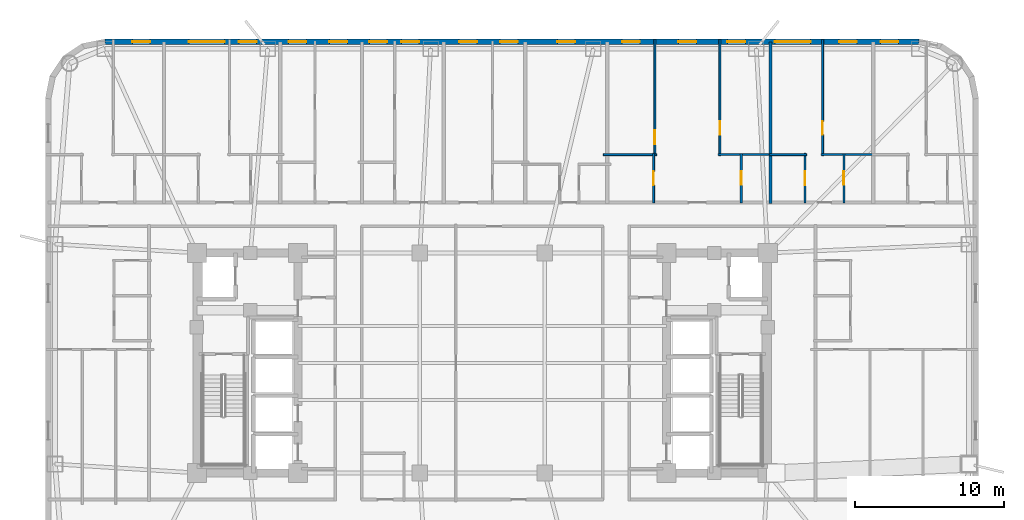
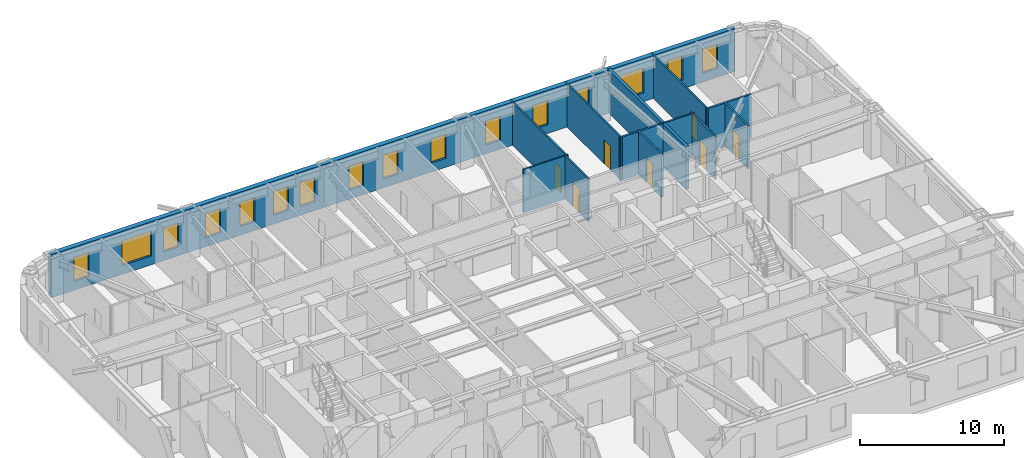
# One storey, part 9 of 12: 16 windows, 13 walls, 7 doors, 23 openings.
"""IFC4 building model written with IfcOpenShell, lengths in metres."""

from ifc_helpers import new_model, si_unit, direction, frame, frame_2d, origin, place, context, subcontext, project, spatial, rectangle, extrude, material, layer, layer_set, type_object, element, fill, save


model = new_model("IFC4")

# Units and contexts
model_context = context("Model", 3, precision=1e-05, world=origin(), true_north=direction((0.0, 1.0)))
body_context = subcontext(model_context, "Body", "Model", "MODEL_VIEW")
ifc_project = project(units=[si_unit("LENGTHUNIT", "METRE"), si_unit("AREAUNIT", "SQUARE_METRE"), si_unit("VOLUMEUNIT", "CUBIC_METRE"), si_unit("PLANEANGLEUNIT", "RADIAN"), si_unit("MASSUNIT", "GRAM", prefix="KILO")], contexts=[model_context])

# Site, building, storey
site_placement = place(None, origin())
site = spatial("IfcSite", under=ifc_project, at=site_placement, CompositionType="ELEMENT")
building_placement = place(site_placement, origin())
building = spatial("IfcBuilding", under=site, at=building_placement, Name="Voryun Gate Residences", CompositionType="ELEMENT")
storey_placement = place(building_placement, frame((0.0, 0.0, 109.199951171875)))
storey = spatial("IfcBuildingStorey", under=building, at=storey_placement, Name="L26", CompositionType="ELEMENT", Elevation=109.199951171875)

# Wall, openings, windows
ifc_material_1 = material(Name="Granite masonry", Category="masonry")
ifc_layer_1 = layer(ifc_material_1, 0.3798828125, Name="W_EXT_GRANITE_380")
ifc_layer_set_1 = layer_set([ifc_layer_1], Name="Granite masonry")
wall_type_1 = type_object("IfcWallType", Name="W_EXT_GRANITE_380", PredefinedType="ELEMENTEDWALL", material=ifc_layer_set_1)
wall_1_placement = place(storey_placement, frame((-25.38134765625, 21.610107421875, 0.0), z_axis=(0.0, 0.0, 1.0), x_axis=(1.0, 0.0, 0.0)))
wall_1 = element("IfcWall", 1, at=wall_1_placement, inside=storey, type_object=wall_type_1, Name="Exterior wall WEXT-L26-11", PredefinedType="ELEMENTEDWALL", context=body_context, shape_type="SweptSolid", body=[
    extrude(rectangle(XDim=54.7626953125, YDim=0.3798828125, at=frame_2d((27.38134765625, 0.0))), origin(), (0.0, 0.0, 1.0), 3.650146484375),
])
opening_1_placement = place(wall_1_placement, frame((5.645263671875, 0.0, 0.75)))
opening_1 = element("IfcOpeningElement", 2, at=opening_1_placement, cuts=wall_1, Name="Opening WN2", PredefinedType="OPENING", context=body_context, shape_type="SweptSolid", body=[
    extrude(rectangle(XDim=2.39990234375, YDim=2.10009765625, at=frame_2d((1.199951171875, 1.050048828125))), frame((0.0, 0.199951171875, 0.0), z_axis=(0.0, -1.0, 0.0), x_axis=(1.0, 0.0, 0.0)), (0.0, 0.0, 1.0), 0.39990234375),
])
opening_2_placement = place(wall_1_placement, frame((45.0673828125, 0.0, 0.75)))
opening_2 = element("IfcOpeningElement", 3, at=opening_2_placement, cuts=wall_1, Name="Opening WN2", PredefinedType="OPENING", context=body_context, shape_type="SweptSolid", body=[
    extrude(rectangle(XDim=2.39990234375, YDim=2.10009765625, at=frame_2d((1.199951171875, 1.050048828125))), frame((0.0, 0.199951171875, 0.0), z_axis=(0.0, -1.0, 0.0), x_axis=(1.0, 0.0, 0.0)), (0.0, 0.0, 1.0), 0.39990234375),
])
opening_3_placement = place(wall_1_placement, frame((1.8310546875, 0.0, 0.75)))
opening_3 = element("IfcOpeningElement", 4, at=opening_3_placement, cuts=wall_1, Name="Opening WN6", PredefinedType="OPENING", context=body_context, shape_type="SweptSolid", body=[
    extrude(rectangle(XDim=1.199951171875, YDim=2.050048828125, at=frame_2d((0.60009765625, 1.02490234375))), frame((0.0, 0.199951171875, 0.0), z_axis=(0.0, -1.0, 0.0), x_axis=(1.0, 0.0, 0.0)), (0.0, 0.0, 1.0), 0.39990234375),
])
opening_4_placement = place(wall_1_placement, frame((8.996337890625, 0.0, 0.75)))
opening_4 = element("IfcOpeningElement", 5, at=opening_4_placement, cuts=wall_1, Name="Opening WN6", PredefinedType="OPENING", context=body_context, shape_type="SweptSolid", body=[
    extrude(rectangle(XDim=1.199951171875, YDim=2.050048828125, at=frame_2d((0.60009765625, 1.02490234375))), frame((0.0, 0.199951171875, 0.0), z_axis=(0.0, -1.0, 0.0), x_axis=(1.0, 0.0, 0.0)), (0.0, 0.0, 1.0), 0.39990234375),
])
opening_5_placement = place(wall_1_placement, frame((15.101806640625, 0.0, 0.75)))
opening_5 = element("IfcOpeningElement", 6, at=opening_5_placement, cuts=wall_1, Name="Opening WN6", PredefinedType="OPENING", context=body_context, shape_type="SweptSolid", body=[
    extrude(rectangle(XDim=1.199951171875, YDim=2.050048828125, at=frame_2d((0.60009765625, 1.02490234375))), frame((0.0, 0.199951171875, 0.0), z_axis=(0.0, -1.0, 0.0), x_axis=(1.0, 0.0, 0.0)), (0.0, 0.0, 1.0), 0.39990234375),
])
opening_6_placement = place(wall_1_placement, frame((12.351806640625, 0.0, 0.75)))
opening_6 = element("IfcOpeningElement", 7, at=opening_6_placement, cuts=wall_1, Name="Opening WN6", PredefinedType="OPENING", context=body_context, shape_type="SweptSolid", body=[
    extrude(rectangle(XDim=1.199951171875, YDim=2.050048828125, at=frame_2d((0.60009765625, 1.02490234375))), frame((0.0, 0.199951171875, 0.0), z_axis=(0.0, -1.0, 0.0), x_axis=(1.0, 0.0, 0.0)), (0.0, 0.0, 1.0), 0.39990234375),
])
opening_7_placement = place(wall_1_placement, frame((19.936279296875, 0.0, 0.75)))
opening_7 = element("IfcOpeningElement", 8, at=opening_7_placement, cuts=wall_1, Name="Opening WN6", PredefinedType="OPENING", context=body_context, shape_type="SweptSolid", body=[
    extrude(rectangle(XDim=1.199951171875, YDim=2.050048828125, at=frame_2d((0.60009765625, 1.02490234375))), frame((0.0, 0.199951171875, 0.0), z_axis=(0.0, -1.0, 0.0), x_axis=(1.0, 0.0, 0.0)), (0.0, 0.0, 1.0), 0.39990234375),
])
opening_8_placement = place(wall_1_placement, frame((17.786376953125, 0.0, 0.75)))
opening_8 = element("IfcOpeningElement", 9, at=opening_8_placement, cuts=wall_1, Name="Opening WN6", PredefinedType="OPENING", context=body_context, shape_type="SweptSolid", body=[
    extrude(rectangle(XDim=1.199951171875, YDim=2.050048828125, at=frame_2d((0.60009765625, 1.02490234375))), frame((0.0, 0.199951171875, 0.0), z_axis=(0.0, -1.0, 0.0), x_axis=(1.0, 0.0, 0.0)), (0.0, 0.0, 1.0), 0.39990234375),
])
opening_9_placement = place(wall_1_placement, frame((23.826416015625, 0.0, 0.75)))
opening_9 = element("IfcOpeningElement", 10, at=opening_9_placement, cuts=wall_1, Name="Opening WN6", PredefinedType="OPENING", context=body_context, shape_type="SweptSolid", body=[
    extrude(rectangle(XDim=1.199951171875, YDim=2.050048828125, at=frame_2d((0.60009765625, 1.02490234375))), frame((0.0, 0.199951171875, 0.0), z_axis=(0.0, -1.0, 0.0), x_axis=(1.0, 0.0, 0.0)), (0.0, 0.0, 1.0), 0.39990234375),
])
opening_10_placement = place(wall_1_placement, frame((26.576416015625, 0.0, 0.75)))
opening_10 = element("IfcOpeningElement", 11, at=opening_10_placement, cuts=wall_1, Name="Opening WN6", PredefinedType="OPENING", context=body_context, shape_type="SweptSolid", body=[
    extrude(rectangle(XDim=1.199951171875, YDim=2.050048828125, at=frame_2d((0.60009765625, 1.02490234375))), frame((0.0, 0.199951171875, 0.0), z_axis=(0.0, -1.0, 0.0), x_axis=(1.0, 0.0, 0.0)), (0.0, 0.0, 1.0), 0.39990234375),
])
opening_11_placement = place(wall_1_placement, frame((30.431396484375, 0.0, 0.75)))
opening_11 = element("IfcOpeningElement", 12, at=opening_11_placement, cuts=wall_1, Name="Opening WN6", PredefinedType="OPENING", context=body_context, shape_type="SweptSolid", body=[
    extrude(rectangle(XDim=1.199951171875, YDim=2.050048828125, at=frame_2d((0.60009765625, 1.02490234375))), frame((0.0, 0.199951171875, 0.0), z_axis=(0.0, -1.0, 0.0), x_axis=(1.0, 0.0, 0.0)), (0.0, 0.0, 1.0), 0.39990234375),
])
opening_12_placement = place(wall_1_placement, frame((38.581298828125, 0.0, 0.75)))
opening_12 = element("IfcOpeningElement", 13, at=opening_12_placement, cuts=wall_1, Name="Opening WN6", PredefinedType="OPENING", context=body_context, shape_type="SweptSolid", body=[
    extrude(rectangle(XDim=1.199951171875, YDim=2.050048828125, at=frame_2d((0.60009765625, 1.02490234375))), frame((0.0, 0.199951171875, 0.0), z_axis=(0.0, -1.0, 0.0), x_axis=(1.0, 0.0, 0.0)), (0.0, 0.0, 1.0), 0.39990234375),
])
opening_13_placement = place(wall_1_placement, frame((34.786376953125, 0.0, 0.75)))
opening_13 = element("IfcOpeningElement", 14, at=opening_13_placement, cuts=wall_1, Name="Opening WN6", PredefinedType="OPENING", context=body_context, shape_type="SweptSolid", body=[
    extrude(rectangle(XDim=1.199951171875, YDim=2.050048828125, at=frame_2d((0.60009765625, 1.02490234375))), frame((0.0, 0.199951171875, 0.0), z_axis=(0.0, -1.0, 0.0), x_axis=(1.0, 0.0, 0.0)), (0.0, 0.0, 1.0), 0.39990234375),
])
opening_14_placement = place(wall_1_placement, frame((41.876220703125, 0.0, 0.75)))
opening_14 = element("IfcOpeningElement", 15, at=opening_14_placement, cuts=wall_1, Name="Opening WN6", PredefinedType="OPENING", context=body_context, shape_type="SweptSolid", body=[
    extrude(rectangle(XDim=1.199951171875, YDim=2.050048828125, at=frame_2d((0.60009765625, 1.02490234375))), frame((0.0, 0.199951171875, 0.0), z_axis=(0.0, -1.0, 0.0), x_axis=(1.0, 0.0, 0.0)), (0.0, 0.0, 1.0), 0.39990234375),
])
opening_15_placement = place(wall_1_placement, frame((49.38525390625, 0.0, 0.75)))
opening_15 = element("IfcOpeningElement", 16, at=opening_15_placement, cuts=wall_1, Name="Opening WN6", PredefinedType="OPENING", context=body_context, shape_type="SweptSolid", body=[
    extrude(rectangle(XDim=1.199951171875, YDim=2.050048828125, at=frame_2d((0.60009765625, 1.02490234375))), frame((0.0, 0.199951171875, 0.0), z_axis=(0.0, -1.0, 0.0), x_axis=(1.0, 0.0, 0.0)), (0.0, 0.0, 1.0), 0.39990234375),
])
opening_16_placement = place(wall_1_placement, frame((52.181396484375, 0.0, 0.75)))
opening_16 = element("IfcOpeningElement", 17, at=opening_16_placement, cuts=wall_1, Name="Opening WN6", PredefinedType="OPENING", context=body_context, shape_type="SweptSolid", body=[
    extrude(rectangle(XDim=1.199951171875, YDim=2.050048828125, at=frame_2d((0.60009765625, 1.02490234375))), frame((0.0, 0.199951171875, 0.0), z_axis=(0.0, -1.0, 0.0), x_axis=(1.0, 0.0, 0.0)), (0.0, 0.0, 1.0), 0.39990234375),
])
ifc_material_2 = material(Name="Laminated low-E glass", Category="glass")
window_type_1 = type_object("IfcWindowType", Name="WN_POD_SLOT_1200", PartitioningType="SINGLE_PANEL", PredefinedType="WINDOW", material=ifc_material_2)
window_1_placement = place(opening_3_placement, origin())
window_1 = element("IfcWindow", 18, at=window_1_placement, inside=storey, type_object=window_type_1, Name="Window WN-L26-DWFIX-02", OverallHeight=2.050048828125, OverallWidth=1.199951171875, PartitioningType="SINGLE_PANEL", PredefinedType="WINDOW", context=body_context, shape_type="SweptSolid", body=[
    extrude(rectangle(XDim=1.199951171875, YDim=2.050048828125, at=frame_2d((0.60009765625, 1.02490234375))), frame((0.0, 0.030029296875, 0.0), z_axis=(0.0, -1.0, 0.0), x_axis=(1.0, 0.0, 0.0)), (0.0, 0.0, 1.0), 0.06005859375),
])
fill(opening_3, window_1)
window_2_placement = place(opening_4_placement, origin())
window_2 = element("IfcWindow", 19, at=window_2_placement, inside=storey, type_object=window_type_1, Name="Window WN-L26-DWFIX-03", OverallHeight=2.050048828125, OverallWidth=1.199951171875, PartitioningType="SINGLE_PANEL", PredefinedType="WINDOW", context=body_context, shape_type="SweptSolid", body=[
    extrude(rectangle(XDim=1.199951171875, YDim=2.050048828125, at=frame_2d((0.60009765625, 1.02490234375))), frame((0.0, 0.030029296875, 0.0), z_axis=(0.0, -1.0, 0.0), x_axis=(1.0, 0.0, 0.0)), (0.0, 0.0, 1.0), 0.06005859375),
])
fill(opening_4, window_2)
window_3_placement = place(opening_5_placement, origin())
window_3 = element("IfcWindow", 20, at=window_3_placement, inside=storey, type_object=window_type_1, Name="Window WN-L26-DWFIX-04", OverallHeight=2.050048828125, OverallWidth=1.199951171875, PartitioningType="SINGLE_PANEL", PredefinedType="WINDOW", context=body_context, shape_type="SweptSolid", body=[
    extrude(rectangle(XDim=1.199951171875, YDim=2.050048828125, at=frame_2d((0.60009765625, 1.02490234375))), frame((0.0, 0.030029296875, 0.0), z_axis=(0.0, -1.0, 0.0), x_axis=(1.0, 0.0, 0.0)), (0.0, 0.0, 1.0), 0.06005859375),
])
fill(opening_5, window_3)
window_4_placement = place(opening_6_placement, origin())
window_4 = element("IfcWindow", 21, at=window_4_placement, inside=storey, type_object=window_type_1, Name="Window WN-L26-DWFIX-05", OverallHeight=2.050048828125, OverallWidth=1.199951171875, PartitioningType="SINGLE_PANEL", PredefinedType="WINDOW", context=body_context, shape_type="SweptSolid", body=[
    extrude(rectangle(XDim=1.199951171875, YDim=2.050048828125, at=frame_2d((0.60009765625, 1.02490234375))), frame((0.0, 0.030029296875, 0.0), z_axis=(0.0, -1.0, 0.0), x_axis=(1.0, 0.0, 0.0)), (0.0, 0.0, 1.0), 0.06005859375),
])
fill(opening_6, window_4)
window_5_placement = place(opening_7_placement, origin())
window_5 = element("IfcWindow", 22, at=window_5_placement, inside=storey, type_object=window_type_1, Name="Window WN-L26-DWFIX-06", OverallHeight=2.050048828125, OverallWidth=1.199951171875, PartitioningType="SINGLE_PANEL", PredefinedType="WINDOW", context=body_context, shape_type="SweptSolid", body=[
    extrude(rectangle(XDim=1.199951171875, YDim=2.050048828125, at=frame_2d((0.60009765625, 1.02490234375))), frame((0.0, 0.030029296875, 0.0), z_axis=(0.0, -1.0, 0.0), x_axis=(1.0, 0.0, 0.0)), (0.0, 0.0, 1.0), 0.06005859375),
])
fill(opening_7, window_5)
window_6_placement = place(opening_8_placement, origin())
window_6 = element("IfcWindow", 23, at=window_6_placement, inside=storey, type_object=window_type_1, Name="Window WN-L26-DWFIX-07", OverallHeight=2.050048828125, OverallWidth=1.199951171875, PartitioningType="SINGLE_PANEL", PredefinedType="WINDOW", context=body_context, shape_type="SweptSolid", body=[
    extrude(rectangle(XDim=1.199951171875, YDim=2.050048828125, at=frame_2d((0.60009765625, 1.02490234375))), frame((0.0, 0.030029296875, 0.0), z_axis=(0.0, -1.0, 0.0), x_axis=(1.0, 0.0, 0.0)), (0.0, 0.0, 1.0), 0.06005859375),
])
fill(opening_8, window_6)
window_7_placement = place(opening_9_placement, origin())
window_7 = element("IfcWindow", 24, at=window_7_placement, inside=storey, type_object=window_type_1, Name="Window WN-L26-DWFIX-08", OverallHeight=2.050048828125, OverallWidth=1.199951171875, PartitioningType="SINGLE_PANEL", PredefinedType="WINDOW", context=body_context, shape_type="SweptSolid", body=[
    extrude(rectangle(XDim=1.199951171875, YDim=2.050048828125, at=frame_2d((0.60009765625, 1.02490234375))), frame((0.0, 0.030029296875, 0.0), z_axis=(0.0, -1.0, 0.0), x_axis=(1.0, 0.0, 0.0)), (0.0, 0.0, 1.0), 0.06005859375),
])
fill(opening_9, window_7)
window_8_placement = place(opening_10_placement, origin())
window_8 = element("IfcWindow", 25, at=window_8_placement, inside=storey, type_object=window_type_1, Name="Window WN-L26-DWFIX-09", OverallHeight=2.050048828125, OverallWidth=1.199951171875, PartitioningType="SINGLE_PANEL", PredefinedType="WINDOW", context=body_context, shape_type="SweptSolid", body=[
    extrude(rectangle(XDim=1.199951171875, YDim=2.050048828125, at=frame_2d((0.60009765625, 1.02490234375))), frame((0.0, 0.030029296875, 0.0), z_axis=(0.0, -1.0, 0.0), x_axis=(1.0, 0.0, 0.0)), (0.0, 0.0, 1.0), 0.06005859375),
])
fill(opening_10, window_8)
window_9_placement = place(opening_11_placement, origin())
window_9 = element("IfcWindow", 26, at=window_9_placement, inside=storey, type_object=window_type_1, Name="Window WN-L26-DWFIX-10", OverallHeight=2.050048828125, OverallWidth=1.199951171875, PartitioningType="SINGLE_PANEL", PredefinedType="WINDOW", context=body_context, shape_type="SweptSolid", body=[
    extrude(rectangle(XDim=1.199951171875, YDim=2.050048828125, at=frame_2d((0.60009765625, 1.02490234375))), frame((0.0, 0.030029296875, 0.0), z_axis=(0.0, -1.0, 0.0), x_axis=(1.0, 0.0, 0.0)), (0.0, 0.0, 1.0), 0.06005859375),
])
fill(opening_11, window_9)
window_10_placement = place(opening_12_placement, origin())
window_10 = element("IfcWindow", 27, at=window_10_placement, inside=storey, type_object=window_type_1, Name="Window WN-L26-DWFIX-11", OverallHeight=2.050048828125, OverallWidth=1.199951171875, PartitioningType="SINGLE_PANEL", PredefinedType="WINDOW", context=body_context, shape_type="SweptSolid", body=[
    extrude(rectangle(XDim=1.199951171875, YDim=2.050048828125, at=frame_2d((0.60009765625, 1.02490234375))), frame((0.0, 0.030029296875, 0.0), z_axis=(0.0, -1.0, 0.0), x_axis=(1.0, 0.0, 0.0)), (0.0, 0.0, 1.0), 0.06005859375),
])
fill(opening_12, window_10)
window_11_placement = place(opening_13_placement, origin())
window_11 = element("IfcWindow", 28, at=window_11_placement, inside=storey, type_object=window_type_1, Name="Window WN-L26-DWFIX-12", OverallHeight=2.050048828125, OverallWidth=1.199951171875, PartitioningType="SINGLE_PANEL", PredefinedType="WINDOW", context=body_context, shape_type="SweptSolid", body=[
    extrude(rectangle(XDim=1.199951171875, YDim=2.050048828125, at=frame_2d((0.60009765625, 1.02490234375))), frame((0.0, 0.030029296875, 0.0), z_axis=(0.0, -1.0, 0.0), x_axis=(1.0, 0.0, 0.0)), (0.0, 0.0, 1.0), 0.06005859375),
])
fill(opening_13, window_11)
window_12_placement = place(opening_14_placement, origin())
window_12 = element("IfcWindow", 29, at=window_12_placement, inside=storey, type_object=window_type_1, Name="Window WN-L26-DWFIX-13", OverallHeight=2.050048828125, OverallWidth=1.199951171875, PartitioningType="SINGLE_PANEL", PredefinedType="WINDOW", context=body_context, shape_type="SweptSolid", body=[
    extrude(rectangle(XDim=1.199951171875, YDim=2.050048828125, at=frame_2d((0.60009765625, 1.02490234375))), frame((0.0, 0.030029296875, 0.0), z_axis=(0.0, -1.0, 0.0), x_axis=(1.0, 0.0, 0.0)), (0.0, 0.0, 1.0), 0.06005859375),
])
fill(opening_14, window_12)
window_13_placement = place(opening_15_placement, origin())
window_13 = element("IfcWindow", 30, at=window_13_placement, inside=storey, type_object=window_type_1, Name="Window WN-L26-DWFIX-14", OverallHeight=2.050048828125, OverallWidth=1.199951171875, PartitioningType="SINGLE_PANEL", PredefinedType="WINDOW", context=body_context, shape_type="SweptSolid", body=[
    extrude(rectangle(XDim=1.199951171875, YDim=2.050048828125, at=frame_2d((0.60009765625, 1.02490234375))), frame((0.0, 0.030029296875, 0.0), z_axis=(0.0, -1.0, 0.0), x_axis=(1.0, 0.0, 0.0)), (0.0, 0.0, 1.0), 0.06005859375),
])
fill(opening_15, window_13)
window_14_placement = place(opening_16_placement, origin())
window_14 = element("IfcWindow", 31, at=window_14_placement, inside=storey, type_object=window_type_1, Name="Window WN-L26-DWFIX-15", OverallHeight=2.050048828125, OverallWidth=1.199951171875, PartitioningType="SINGLE_PANEL", PredefinedType="WINDOW", context=body_context, shape_type="SweptSolid", body=[
    extrude(rectangle(XDim=1.199951171875, YDim=2.050048828125, at=frame_2d((0.60009765625, 1.02490234375))), frame((0.0, 0.030029296875, 0.0), z_axis=(0.0, -1.0, 0.0), x_axis=(1.0, 0.0, 0.0)), (0.0, 0.0, 1.0), 0.06005859375),
])
fill(opening_16, window_14)
ifc_material_3 = material(Name="Laminated low-E glass", Category="glass")
window_type_2 = type_object("IfcWindowType", Name="WN_RES_WIDE_2400", PartitioningType="SINGLE_PANEL", PredefinedType="WINDOW", material=ifc_material_3)
window_15_placement = place(opening_1_placement, origin())
window_15 = element("IfcWindow", 32, at=window_15_placement, inside=storey, type_object=window_type_2, Name="Window WN-WEXT-L26-11-01", OverallHeight=2.10009765625, OverallWidth=2.39990234375, PartitioningType="SINGLE_PANEL", PredefinedType="WINDOW", context=body_context, shape_type="SweptSolid", body=[
    extrude(rectangle(XDim=2.39990234375, YDim=2.10009765625, at=frame_2d((1.199951171875, 1.050048828125))), frame((0.0, 0.030029296875, 0.0), z_axis=(0.0, -1.0, 0.0), x_axis=(1.0, 0.0, 0.0)), (0.0, 0.0, 1.0), 0.06005859375),
])
fill(opening_1, window_15)
window_16_placement = place(opening_2_placement, origin())
window_16 = element("IfcWindow", 33, at=window_16_placement, inside=storey, type_object=window_type_2, Name="Window WN-WEXT-L26-11-04", OverallHeight=2.10009765625, OverallWidth=2.39990234375, PartitioningType="SINGLE_PANEL", PredefinedType="WINDOW", context=body_context, shape_type="SweptSolid", body=[
    extrude(rectangle(XDim=2.39990234375, YDim=2.10009765625, at=frame_2d((1.199951171875, 1.050048828125))), frame((0.0, 0.030029296875, 0.0), z_axis=(0.0, -1.0, 0.0), x_axis=(1.0, 0.0, 0.0)), (0.0, 0.0, 1.0), 0.06005859375),
])
fill(opening_2, window_16)

# Wall
ifc_material_4 = material(Name="Concrete C40/50", Category="concrete")
ifc_layer_2 = layer(ifc_material_4, 0.219970703125, Name="W_PARTY_ACOUSTIC_220")
ifc_layer_set_2 = layer_set([ifc_layer_2], Name="Concrete C40/50")
wall_type_2 = type_object("IfcWallType", Name="W_PARTY_ACOUSTIC_220", PredefinedType="PARTITIONING", material=ifc_layer_set_2)
wall_2_placement = place(storey_placement, frame((19.39990234375, 10.719970703125, 0.0), z_axis=(0.0, 0.0, 1.0), x_axis=(0.0, 1.0, 0.0)))
element("IfcWall", 34, at=wall_2_placement, inside=storey, type_object=wall_type_2, Name="Partition wall WP-L26-NPTY-7", PredefinedType="PARTITIONING", context=body_context, shape_type="SweptSolid", body=[
    extrude(rectangle(XDim=10.89013671875, YDim=0.219970703125, at=frame_2d((5.445068359375, 0.0))), origin(), (0.0, 0.0, 1.0), 3.650146484375),
])

# Wall, opening, door
ifc_material_5 = material(Name="Gypsum acoustic partition")
ifc_layer_3 = layer(ifc_material_5, 0.125, Name="W_UNIT_PART_125")
ifc_layer_set_3 = layer_set([ifc_layer_3], Name="Gypsum acoustic partition")
wall_type_3 = type_object("IfcWallType", Name="W_UNIT_PART_125", PredefinedType="PARTITIONING", material=ifc_layer_set_3)
wall_3_placement = place(storey_placement, frame((11.610107421875, 13.93994140625, 0.0), z_axis=(0.0, 0.0, 1.0), x_axis=(0.0, 1.0, 0.0)))
wall_3 = element("IfcWall", 35, at=wall_3_placement, inside=storey, type_object=wall_type_3, Name="Partition wall WP-L26-N7-OVL", PredefinedType="PARTITIONING", context=body_context, shape_type="SweptSolid", body=[
    extrude(rectangle(XDim=7.820068359375, YDim=0.125, at=frame_2d((3.91015625, 0.0))), origin(), (0.0, 0.0, 1.0), 3.650146484375),
])
opening_17_placement = place(wall_3_placement, frame((0.776123046875, 0.0, 0.0)))
opening_17 = element("IfcOpeningElement", 36, at=opening_17_placement, cuts=wall_3, Name="Opening D-INT-1", PredefinedType="OPENING", context=body_context, shape_type="SweptSolid", body=[
    extrude(rectangle(XDim=0.949951171875, YDim=2.050048828125, at=frame_2d((0.47509765625, 1.02490234375))), frame((0.0, 0.072509765625, 0.0), z_axis=(0.0, -1.0, 0.0), x_axis=(1.0, 0.0, 0.0)), (0.0, 0.0, 1.0), 0.14501953125),
])
ifc_material_6 = material(Name="Architectural oak veneer")
door_type_1 = type_object("IfcDoorType", Name="DR_INT_ROOM_950", OperationType="NOTDEFINED", PredefinedType="DOOR", material=ifc_material_6)
door_1_placement = place(opening_17_placement, origin())
door_1 = element("IfcDoor", 37, at=door_1_placement, inside=storey, type_object=door_type_1, Name="Door DR-L26-N7-DB2", OperationType="SINGLE_SWING_LEFT", OverallHeight=2.050048828125, OverallWidth=0.949951171875, PredefinedType="DOOR", context=body_context, shape_type="SweptSolid", body=[
    extrude(rectangle(XDim=0.949951171875, YDim=2.050048828125, at=frame_2d((0.47509765625, 1.02490234375))), frame((0.0, 0.02490234375, 0.0), z_axis=(0.0, -1.0, 0.0), x_axis=(1.0, 0.0, 0.0)), (0.0, 0.0, 1.0), 0.050048828125),
])
fill(opening_17, door_1)

wall_4_placement = place(storey_placement, frame((15.989990234375, 13.93994140625, 0.0), z_axis=(0.0, 0.0, 1.0), x_axis=(0.0, 1.0, 0.0)))
wall_4 = element("IfcWall", 38, at=wall_4_placement, inside=storey, type_object=wall_type_3, Name="Partition wall WP-L26-N7-OVR", PredefinedType="PARTITIONING", context=body_context, shape_type="SweptSolid", body=[
    extrude(rectangle(XDim=7.820068359375, YDim=0.125, at=frame_2d((3.91015625, 0.0))), origin(), (0.0, 0.0, 1.0), 3.650146484375),
])
opening_18_placement = place(wall_4_placement, frame((1.4267578125, 0.0, 0.0)))
opening_18 = element("IfcOpeningElement", 39, at=opening_18_placement, cuts=wall_4, Name="Opening D-INT-2", PredefinedType="OPENING", context=body_context, shape_type="SweptSolid", body=[
    extrude(rectangle(XDim=0.89990234375, YDim=2.050048828125, at=frame_2d((0.449951171875, 1.02490234375))), frame((0.0, 0.072509765625, 0.0), z_axis=(0.0, -1.0, 0.0), x_axis=(1.0, 0.0, 0.0)), (0.0, 0.0, 1.0), 0.14501953125),
])
ifc_material_7 = material(Name="Architectural oak veneer")
door_type_2 = type_object("IfcDoorType", Name="DR_INT_BATH_900", OperationType="NOTDEFINED", PredefinedType="DOOR", material=ifc_material_7)
door_2_placement = place(opening_18_placement, origin())
door_2 = element("IfcDoor", 40, at=door_2_placement, inside=storey, type_object=door_type_2, Name="Door DR-L26-N7-DMB", OperationType="SINGLE_SWING_RIGHT", OverallHeight=2.050048828125, OverallWidth=0.89990234375, PredefinedType="DOOR", context=body_context, shape_type="SweptSolid", body=[
    extrude(rectangle(XDim=0.89990234375, YDim=2.050048828125, at=frame_2d((0.449951171875, 1.02490234375))), frame((0.0, 0.02490234375, 0.0), z_axis=(0.0, -1.0, 0.0), x_axis=(1.0, 0.0, 0.0)), (0.0, 0.0, 1.0), 0.050048828125),
])
fill(opening_18, door_2)

wall_5_placement = place(storey_placement, frame((11.528076171875, 10.780029296875, 0.0), z_axis=(0.0, 0.0, 1.0), x_axis=(0.0, 1.0, 0.0)))
wall_5 = element("IfcWall", 41, at=wall_5_placement, inside=storey, type_object=wall_type_3, Name="Partition wall WP-L26-N7-IVK", PredefinedType="PARTITIONING", context=body_context, shape_type="SweptSolid", body=[
    extrude(rectangle(XDim=3.320068359375, YDim=0.125, at=frame_2d((1.66015625, 0.0))), origin(), (0.0, 0.0, 1.0), 3.650146484375),
])
opening_19_placement = place(wall_5_placement, frame((1.18505859375, 0.0, 0.0)))
opening_19 = element("IfcOpeningElement", 42, at=opening_19_placement, cuts=wall_5, Name="Opening D-INT-1", PredefinedType="OPENING", context=body_context, shape_type="SweptSolid", body=[
    extrude(rectangle(XDim=0.949951171875, YDim=2.050048828125, at=frame_2d((0.47509765625, 1.02490234375))), frame((0.0, 0.072509765625, 0.0), z_axis=(0.0, -1.0, 0.0), x_axis=(1.0, 0.0, 0.0)), (0.0, 0.0, 1.0), 0.14501953125),
])
door_3_placement = place(opening_19_placement, origin())
door_3 = element("IfcDoor", 43, at=door_3_placement, inside=storey, type_object=door_type_1, Name="Door DR-L26-N7-DK", OperationType="SINGLE_SWING_LEFT", OverallHeight=2.050048828125, OverallWidth=0.949951171875, PredefinedType="DOOR", context=body_context, shape_type="SweptSolid", body=[
    extrude(rectangle(XDim=0.949951171875, YDim=2.050048828125, at=frame_2d((0.47509765625, 1.02490234375))), frame((0.0, 0.02490234375, 0.0), z_axis=(0.0, -1.0, 0.0), x_axis=(1.0, 0.0, 0.0)), (0.0, 0.0, 1.0), 0.050048828125),
])
fill(opening_19, door_3)

# Wall
wall_6_placement = place(storey_placement, frame((8.139892578125, 14.02001953125, 0.0), z_axis=(0.0, 0.0, 1.0), x_axis=(1.0, 0.0, 0.0)))
element("IfcWall", 44, at=wall_6_placement, inside=storey, type_object=wall_type_3, Name="Partition wall WP-L26-N7-HZK", PredefinedType="PARTITIONING", context=body_context, shape_type="SweptSolid", body=[
    extrude(rectangle(XDim=3.590087890625, YDim=0.125, at=frame_2d((1.794921875, 0.0))), origin(), (0.0, 0.0, 1.0), 3.650146484375),
])

# Wall, opening, door
wall_7_placement = place(storey_placement, frame((22.89892578125, 13.93994140625, 0.0), z_axis=(0.0, 0.0, 1.0), x_axis=(0.0, 1.0, 0.0)))
wall_7 = element("IfcWall", 45, at=wall_7_placement, inside=storey, type_object=wall_type_3, Name="Partition wall WP-L26-N8-OVR", PredefinedType="PARTITIONING", context=body_context, shape_type="SweptSolid", body=[
    extrude(rectangle(XDim=7.820068359375, YDim=0.125, at=frame_2d((3.91015625, 0.0))), origin(), (0.0, 0.0, 1.0), 3.650146484375),
])
opening_20_placement = place(wall_7_placement, frame((1.4267578125, 0.0, 0.0)))
opening_20 = element("IfcOpeningElement", 46, at=opening_20_placement, cuts=wall_7, Name="Opening D-INT-2", PredefinedType="OPENING", context=body_context, shape_type="SweptSolid", body=[
    extrude(rectangle(XDim=0.89990234375, YDim=2.050048828125, at=frame_2d((0.449951171875, 1.02490234375))), frame((0.0, 0.072509765625, 0.0), z_axis=(0.0, -1.0, 0.0), x_axis=(1.0, 0.0, 0.0)), (0.0, 0.0, 1.0), 0.14501953125),
])
door_4_placement = place(opening_20_placement, origin())
door_4 = element("IfcDoor", 47, at=door_4_placement, inside=storey, type_object=door_type_2, Name="Door DR-L26-N8-DMB", OperationType="SINGLE_SWING_RIGHT", OverallHeight=2.050048828125, OverallWidth=0.89990234375, PredefinedType="DOOR", context=body_context, shape_type="SweptSolid", body=[
    extrude(rectangle(XDim=0.89990234375, YDim=2.050048828125, at=frame_2d((0.449951171875, 1.02490234375))), frame((0.0, 0.02490234375, 0.0), z_axis=(0.0, -1.0, 0.0), x_axis=(1.0, 0.0, 0.0)), (0.0, 0.0, 1.0), 0.050048828125),
])
fill(opening_20, door_4)

wall_8_placement = place(storey_placement, frame((21.7099609375, 10.780029296875, 0.0), z_axis=(0.0, 0.0, 1.0), x_axis=(0.0, 1.0, 0.0)))
wall_8 = element("IfcWall", 48, at=wall_8_placement, inside=storey, type_object=wall_type_3, Name="Partition wall WP-L26-N8-IVK", PredefinedType="PARTITIONING", context=body_context, shape_type="SweptSolid", body=[
    extrude(rectangle(XDim=3.320068359375, YDim=0.125, at=frame_2d((1.66015625, 0.0))), origin(), (0.0, 0.0, 1.0), 3.650146484375),
])
opening_21_placement = place(wall_8_placement, frame((1.18505859375, 0.0, 0.0)))
opening_21 = element("IfcOpeningElement", 49, at=opening_21_placement, cuts=wall_8, Name="Opening D-INT-1", PredefinedType="OPENING", context=body_context, shape_type="SweptSolid", body=[
    extrude(rectangle(XDim=0.949951171875, YDim=2.050048828125, at=frame_2d((0.47509765625, 1.02490234375))), frame((0.0, 0.072509765625, 0.0), z_axis=(0.0, -1.0, 0.0), x_axis=(1.0, 0.0, 0.0)), (0.0, 0.0, 1.0), 0.14501953125),
])
door_5_placement = place(opening_21_placement, origin())
door_5 = element("IfcDoor", 50, at=door_5_placement, inside=storey, type_object=door_type_1, Name="Door DR-L26-N8-DK", OperationType="SINGLE_SWING_LEFT", OverallHeight=2.050048828125, OverallWidth=0.949951171875, PredefinedType="DOOR", context=body_context, shape_type="SweptSolid", body=[
    extrude(rectangle(XDim=0.949951171875, YDim=2.050048828125, at=frame_2d((0.47509765625, 1.02490234375))), frame((0.0, 0.02490234375, 0.0), z_axis=(0.0, -1.0, 0.0), x_axis=(1.0, 0.0, 0.0)), (0.0, 0.0, 1.0), 0.050048828125),
])
fill(opening_21, door_5)

# Walls
wall_9_placement = place(storey_placement, frame((19.324951171875, 14.02001953125, 0.0), z_axis=(0.0, 0.0, 1.0), x_axis=(1.0, 0.0, 0.0)))
element("IfcWall", 51, at=wall_9_placement, inside=storey, type_object=wall_type_3, Name="Partition wall WP-L26-N8-HZK", PredefinedType="PARTITIONING", context=body_context, shape_type="SweptSolid", body=[
    extrude(rectangle(XDim=2.505126953125, YDim=0.125, at=frame_2d((1.25244140625, 0.0))), origin(), (0.0, 0.0, 1.0), 3.650146484375),
])
ifc_material_8 = material(Name="Gypsum moisture-resistant partition")
ifc_layer_4 = layer(ifc_material_8, 0.14990234375, Name="W_WET_PLUMB_150")
ifc_layer_set_4 = layer_set([ifc_layer_4], Name="Gypsum moisture-resistant partition")
wall_type_4 = type_object("IfcWallType", Name="W_WET_PLUMB_150", PredefinedType="PLUMBINGWALL", material=ifc_layer_set_4)
wall_10_placement = place(storey_placement, frame((15.8701171875, 14.02001953125, 0.0), z_axis=(0.0, 0.0, 1.0), x_axis=(1.0, 0.0, 0.0)))
element("IfcWall", 52, at=wall_10_placement, inside=storey, type_object=wall_type_4, Name="Partition wall WP-L26-N7-HZB", PredefinedType="PLUMBINGWALL", context=body_context, shape_type="SweptSolid", body=[
    extrude(rectangle(XDim=3.60498046875, YDim=0.14990234375, at=frame_2d((1.802490234375, 0.0))), origin(), (0.0, 0.0, 1.0), 3.650146484375),
])

# Wall, opening, door
wall_11_placement = place(storey_placement, frame((17.419921875, 10.780029296875, 0.0), z_axis=(0.0, 0.0, 1.0), x_axis=(0.0, 1.0, 0.0)))
wall_11 = element("IfcWall", 53, at=wall_11_placement, inside=storey, type_object=wall_type_4, Name="Partition wall WP-L26-N7-IVB", PredefinedType="PLUMBINGWALL", context=body_context, shape_type="SweptSolid", body=[
    extrude(rectangle(XDim=3.320068359375, YDim=0.14990234375, at=frame_2d((1.66015625, 0.0))), origin(), (0.0, 0.0, 1.0), 3.650146484375),
])
opening_22_placement = place(wall_11_placement, frame((1.2099609375, 0.0, 0.0)))
opening_22 = element("IfcOpeningElement", 54, at=opening_22_placement, cuts=wall_11, Name="Opening D-INT-2", PredefinedType="OPENING", context=body_context, shape_type="SweptSolid", body=[
    extrude(rectangle(XDim=0.89990234375, YDim=2.050048828125, at=frame_2d((0.449951171875, 1.02490234375))), frame((0.0, 0.0849609375, 0.0), z_axis=(0.0, -1.0, 0.0), x_axis=(1.0, 0.0, 0.0)), (0.0, 0.0, 1.0), 0.169921875),
])
door_6_placement = place(opening_22_placement, origin())
door_6 = element("IfcDoor", 55, at=door_6_placement, inside=storey, type_object=door_type_2, Name="Door DR-L26-N7-DB", OperationType="SINGLE_SWING_RIGHT", OverallHeight=2.050048828125, OverallWidth=0.89990234375, PredefinedType="DOOR", context=body_context, shape_type="SweptSolid", body=[
    extrude(rectangle(XDim=0.89990234375, YDim=2.050048828125, at=frame_2d((0.449951171875, 1.02490234375))), frame((0.0, 0.02490234375, 0.0), z_axis=(0.0, -1.0, 0.0), x_axis=(1.0, 0.0, 0.0)), (0.0, 0.0, 1.0), 0.050048828125),
])
fill(opening_22, door_6)

# Wall
wall_12_placement = place(storey_placement, frame((22.779052734375, 14.02001953125, 0.0), z_axis=(0.0, 0.0, 1.0), x_axis=(1.0, 0.0, 0.0)))
element("IfcWall", 56, at=wall_12_placement, inside=storey, type_object=wall_type_4, Name="Partition wall WP-L26-N8-HZB", PredefinedType="PLUMBINGWALL", context=body_context, shape_type="SweptSolid", body=[
    extrude(rectangle(XDim=3.60498046875, YDim=0.14990234375, at=frame_2d((1.802490234375, 0.0))), origin(), (0.0, 0.0, 1.0), 3.650146484375),
])

# Wall, opening, door
wall_13_placement = place(storey_placement, frame((24.3291015625, 10.780029296875, 0.0), z_axis=(0.0, 0.0, 1.0), x_axis=(0.0, 1.0, 0.0)))
wall_13 = element("IfcWall", 57, at=wall_13_placement, inside=storey, type_object=wall_type_4, Name="Partition wall WP-L26-N8-IVB", PredefinedType="PLUMBINGWALL", context=body_context, shape_type="SweptSolid", body=[
    extrude(rectangle(XDim=3.320068359375, YDim=0.14990234375, at=frame_2d((1.66015625, 0.0))), origin(), (0.0, 0.0, 1.0), 3.650146484375),
])
opening_23_placement = place(wall_13_placement, frame((1.2099609375, 0.0, 0.0)))
opening_23 = element("IfcOpeningElement", 58, at=opening_23_placement, cuts=wall_13, Name="Opening D-INT-2", PredefinedType="OPENING", context=body_context, shape_type="SweptSolid", body=[
    extrude(rectangle(XDim=0.89990234375, YDim=2.050048828125, at=frame_2d((0.449951171875, 1.02490234375))), frame((0.0, 0.0849609375, 0.0), z_axis=(0.0, -1.0, 0.0), x_axis=(1.0, 0.0, 0.0)), (0.0, 0.0, 1.0), 0.169921875),
])
door_7_placement = place(opening_23_placement, origin())
door_7 = element("IfcDoor", 59, at=door_7_placement, inside=storey, type_object=door_type_2, Name="Door DR-L26-N8-DB", OperationType="SINGLE_SWING_RIGHT", OverallHeight=2.050048828125, OverallWidth=0.89990234375, PredefinedType="DOOR", context=body_context, shape_type="SweptSolid", body=[
    extrude(rectangle(XDim=0.89990234375, YDim=2.050048828125, at=frame_2d((0.449951171875, 1.02490234375))), frame((0.0, 0.02490234375, 0.0), z_axis=(0.0, -1.0, 0.0), x_axis=(1.0, 0.0, 0.0)), (0.0, 0.0, 1.0), 0.050048828125),
])
fill(opening_23, door_7)

save(model, "model.ifc")
